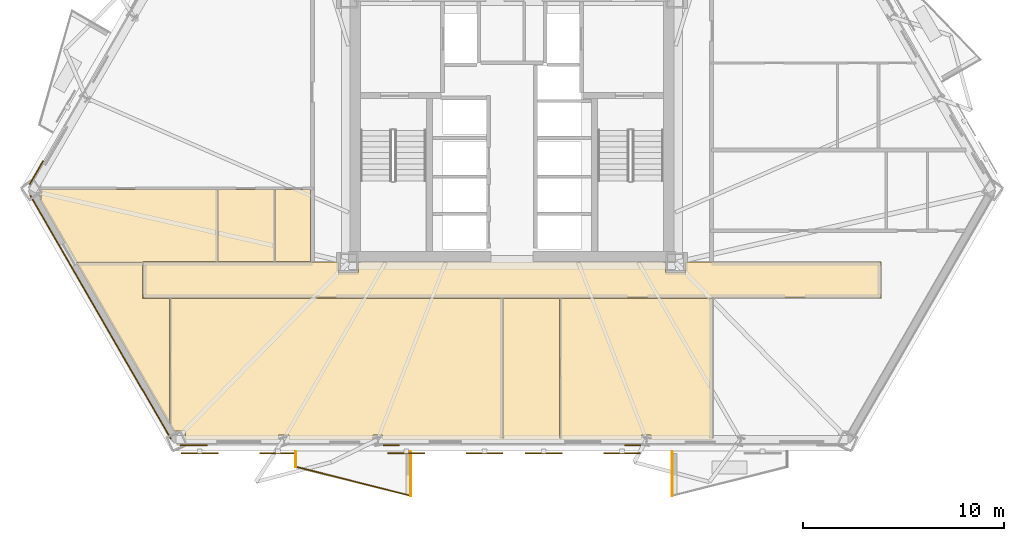
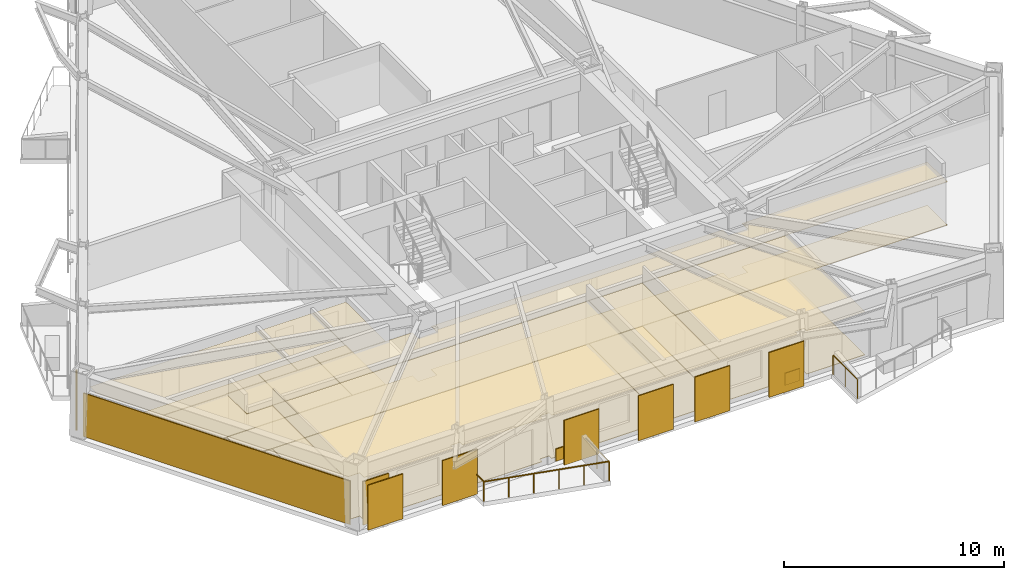
# One storey, part 7 of 10: 21 coverings, 6 shading devices, 4 railings.
"""IFC4 building model written with IfcOpenShell, lengths in metres."""

from ifc_helpers import new_model, si_unit, direction, frame, origin, origin_2d, place, context, subcontext, project, spatial, polyline, rectangle, circle, outline, extrude, material, layer, layer_set, type_object, element, save


model = new_model("IFC4")

# Units and contexts
model_context = context("Model", 3, precision=1e-05, world=origin(), true_north=direction((0.0, 1.0)))
body_context = subcontext(model_context, "Body", "Model", "MODEL_VIEW")
ifc_project = project(units=[si_unit("LENGTHUNIT", "METRE"), si_unit("AREAUNIT", "SQUARE_METRE"), si_unit("VOLUMEUNIT", "CUBIC_METRE"), si_unit("PLANEANGLEUNIT", "RADIAN"), si_unit("MASSUNIT", "GRAM", prefix="KILO")], contexts=[model_context])

# Site, building, storey
site_placement = place(None, origin())
site = spatial("IfcSite", under=ifc_project, at=site_placement, CompositionType="ELEMENT")
building_placement = place(site_placement, origin())
building = spatial("IfcBuilding", under=site, at=building_placement, Name="Oramaril Tower", CompositionType="ELEMENT")
storey_placement = place(building_placement, frame((0.0, 0.0, 52.5)))
storey = spatial("IfcBuildingStorey", under=building, at=storey_placement, Name="L13", CompositionType="ELEMENT", Elevation=52.5)

# Coverings
ifc_material_1 = material(Name="Mineral Fibre Acoustic Ceiling")
ifc_layer_1 = layer(ifc_material_1, 0.02001953125)
ifc_layer_set_1 = layer_set([ifc_layer_1], Name="CVT-CEIL")
covering_type_1 = type_object("IfcCoveringType", Name="CVT-CEIL", PredefinedType="CEILING", material=ifc_layer_set_1)
covering_1_placement = place(storey_placement, frame((0.0, 0.0, 2.39990234375)))
element("IfcCovering", 1, at=covering_1_placement, inside=storey, type_object=covering_type_1, Name="L13 Acoustic Suspended Ceiling 1", PredefinedType="CEILING", context=body_context, shape_type="SweptSolid", body=[
    extrude(outline(polyline([(28.85498046875, 10.5048828125), (29.844970703125, 10.5048828125), (29.844970703125, 11.030029296875), (45.155029296875, 11.030029296875), (45.155029296875, 10.5048828125), (46.14501953125, 10.5048828125), (46.14501953125, 11.030029296875), (55.8798828125, 11.030029296875), (55.8798828125, 9.219970703125), (19.1201171875, 9.219970703125), (19.1201171875, 11.030029296875), (28.85498046875, 11.030029296875), (28.85498046875, 10.5048828125)])), origin(), (0.0, 0.0, 1.0), 0.02001953125),
])
covering_2_placement = place(storey_placement, frame((0.0, 0.0, 2.39990234375)))
element("IfcCovering", 2, at=covering_2_placement, inside=storey, type_object=covering_type_1, Name="L13 Acoustic Suspended Ceiling 6", PredefinedType="CEILING", context=body_context, shape_type="SweptSolid", body=[
    extrude(outline(polyline([(31.056640625, 2.4130859375), (30.564208984375, 2.4130859375), (30.564208984375, 2.185791015625), (26.38037109375, 2.185791015625), (26.38037109375, 2.4130859375), (25.875, 2.4130859375), (25.875, 2.185791015625), (21.218994140625, 2.185791015625), (21.218994140625, 2.59619140625), (20.62451171875, 2.59619140625), (20.4609375, 2.87939453125), (20.4609375, 9.199951171875), (37.0419921875, 9.199951171875), (37.0419921875, 2.185791015625), (31.056640625, 2.185791015625), (31.056640625, 2.4130859375)])), origin(), (0.0, 0.0, 1.0), 0.02001953125),
])
covering_3_placement = place(storey_placement, frame((0.0, 0.0, 2.39990234375)))
element("IfcCovering", 3, at=covering_3_placement, inside=storey, type_object=covering_type_1, Name="L13 Acoustic Suspended Ceiling 7", PredefinedType="CEILING", context=body_context, shape_type="SweptSolid", body=[
    extrude(outline(polyline([(15.777099609375, 10.991943359375), (19.10009765625, 10.991943359375), (19.10009765625, 9.219970703125), (19.10009765625, 9.218017578125), (19.100341796875, 9.216064453125), (19.100830078125, 9.214111328125), (19.1015625, 9.21240234375), (19.102294921875, 9.210693359375), (19.103515625, 9.208984375), (19.1044921875, 9.207275390625), (19.10595703125, 9.205810546875), (19.107421875, 9.20458984375), (19.10888671875, 9.203369140625), (19.110595703125, 9.202392578125), (19.1123046875, 9.201416015625), (19.1142578125, 9.200927734375), (19.1162109375, 9.200439453125), (19.117919921875, 9.2001953125), (19.1201171875, 9.199951171875), (20.44091796875, 9.199951171875), (20.44091796875, 2.9140625), (15.777099609375, 10.991943359375)])), origin(), (0.0, 0.0, 1.0), 0.02001953125),
])
covering_4_placement = place(storey_placement, frame((0.0, 0.0, 2.39990234375)))
element("IfcCovering", 4, at=covering_4_placement, inside=storey, type_object=covering_type_1, Name="L13 Acoustic Suspended Ceiling 8", PredefinedType="CEILING", context=body_context, shape_type="SweptSolid", body=[
    extrude(outline(polyline([(44.435791015625, 2.4130859375), (43.943359375, 2.4130859375), (43.943359375, 2.185791015625), (39.884033203125, 2.185791015625), (39.884033203125, 9.199951171875), (47.491943359375, 9.199951171875), (47.491943359375, 2.185791015625), (44.435791015625, 2.185791015625), (44.435791015625, 2.4130859375)])), origin(), (0.0, 0.0, 1.0), 0.02001953125),
])
covering_5_placement = place(storey_placement, frame((0.0, 0.0, 2.39990234375)))
element("IfcCovering", 5, at=covering_5_placement, inside=storey, type_object=covering_type_1, Name="L13 Acoustic Suspended Ceiling 9", PredefinedType="CEILING", context=body_context, shape_type="SweptSolid", body=[
    extrude(outline(polyline([(37.06201171875, 2.185791015625), (37.06201171875, 9.199951171875), (39.864013671875, 9.199951171875), (39.864013671875, 2.185791015625), (37.06201171875, 2.185791015625)])), origin(), (0.0, 0.0, 1.0), 0.02001953125),
])
covering_6_placement = place(storey_placement, frame((0.0, 0.0, 2.39990234375)))
element("IfcCovering", 6, at=covering_6_placement, inside=storey, type_object=covering_type_1, Name="L13 Acoustic Suspended Ceiling 11", PredefinedType="CEILING", context=body_context, shape_type="SweptSolid", body=[
    extrude(outline(polyline([(13.96044921875, 14.138671875), (14.024169921875, 14.138671875), (14.024169921875, 14.631591796875), (22.838134765625, 14.631591796875), (22.838134765625, 11.050048828125), (19.1201171875, 11.050048828125), (19.117919921875, 11.0498046875), (19.1162109375, 11.049560546875), (19.1142578125, 11.049072265625), (19.1123046875, 11.048583984375), (19.110595703125, 11.047607421875), (19.10888671875, 11.046630859375), (19.107421875, 11.04541015625), (19.10595703125, 11.044189453125), (19.1044921875, 11.042724609375), (19.103515625, 11.041015625), (19.102294921875, 11.039306640625), (19.1015625, 11.03759765625), (19.100830078125, 11.035888671875), (19.100341796875, 11.033935546875), (19.10009765625, 11.031982421875), (19.10009765625, 11.030029296875), (19.10009765625, 11.011962890625), (15.777099609375, 11.011962890625), (15.775146484375, 11.011962890625), (15.773193359375, 11.01171875), (15.771240234375, 11.010986328125), (15.769287109375, 11.010498046875), (15.767578125, 11.009521484375), (15.76708984375, 11.00927734375), (13.96044921875, 14.138671875)])), origin(), (0.0, 0.0, 1.0), 0.02001953125),
])
covering_7_placement = place(storey_placement, frame((0.0, 0.0, 2.39990234375)))
element("IfcCovering", 7, at=covering_7_placement, inside=storey, type_object=covering_type_1, Name="L13 Acoustic Suspended Ceiling 12", PredefinedType="CEILING", context=body_context, shape_type="SweptSolid", body=[
    extrude(outline(polyline([(25.701904296875, 11.050048828125), (22.858154296875, 11.050048828125), (22.858154296875, 14.631591796875), (25.701904296875, 14.631591796875), (25.701904296875, 11.050048828125)])), origin(), (0.0, 0.0, 1.0), 0.02001953125),
])
covering_8_placement = place(storey_placement, frame((0.0, 0.0, 2.39990234375)))
element("IfcCovering", 8, at=covering_8_placement, inside=storey, type_object=covering_type_1, Name="L13 Acoustic Suspended Ceiling 13", PredefinedType="CEILING", context=body_context, shape_type="SweptSolid", body=[
    extrude(outline(polyline([(25.721923828125, 14.631591796875), (27.449951171875, 14.631591796875), (27.449951171875, 11.050048828125), (25.721923828125, 11.050048828125), (25.721923828125, 14.631591796875)])), origin(), (0.0, 0.0, 1.0), 0.02001953125),
])
ifc_material_2 = material(Name="Warm Cream Limestone", Category="masonry")
ifc_layer_2 = layer(ifc_material_2, 0.050048828125)
ifc_layer_set_2 = layer_set([ifc_layer_2], Name="CVT-CLD")
covering_type_2 = type_object("IfcCoveringType", Name="CVT-CLD", PredefinedType="CLADDING", material=ifc_layer_set_2)
covering_9_placement = place(storey_placement, frame((17.00341796875, 8.26611328125, 0.0400390625), z_axis=(0.0, 0.0, 1.0), x_axis=(0.5, -0.866025403784, 0.0)))
element("IfcCovering", 9, at=covering_9_placement, inside=storey, type_object=covering_type_2, Name="L13 Warm Cream Limestone Cladding", PredefinedType="CLADDING", context=body_context, shape_type="SweptSolid", body=[
    extrude(rectangle(XDim=14.0146484375, YDim=0.050048828125, at=origin_2d()), origin(), (0.0, 0.0, 1.0), 2.4140625),
])
covering_10_placement = place(storey_placement, frame((21.649169921875, 1.884765625, 0.0400390625), z_axis=(0.0, 0.0, 1.0), x_axis=(1.0, 0.0, 0.0)))
element("IfcCovering", 10, at=covering_10_placement, inside=storey, type_object=covering_type_2, Name="L13 Warm Cream Limestone Cladding", PredefinedType="CLADDING", context=body_context, shape_type="SweptSolid", body=[
    extrude(rectangle(XDim=1.35009765625, YDim=0.050048828125, at=origin_2d()), origin(), (0.0, 0.0, 1.0), 2.4140625),
])
for number, where, z_axis, x_axis, name in (
    (11, (31.48779296875, 1.884765625, 0.0400390625), (0.0, 0.0, 1.0), (1.0, 0.0, 0.0), "L13 Warm Cream Limestone Spandrel Cladding"),
    (12, (43.51220703125, 1.884765625, 0.0400390625), (0.0, 0.0, 1.0), (1.0, 0.0, 0.0), "L13 Warm Cream Limestone Spandrel Cladding"),
):
    element("IfcCovering", number, at=place(storey_placement, frame(where, z_axis=z_axis, x_axis=x_axis)), inside=storey, type_object=covering_type_2, Name=name, PredefinedType="CLADDING", context=body_context, shape_type="SweptSolid", body=[
        extrude(rectangle(XDim=0.800048828125, YDim=0.050048828125, at=origin_2d()), origin(), (0.0, 0.0, 1.0), 0.679931640625),
    ])
covering_11_placement = place(storey_placement, frame((13.7998046875, 15.480224609375, 0.0400390625), z_axis=(0.0, 0.0, 1.0), x_axis=(-0.5, -0.866025403784, 0.0)))
element("IfcCovering", 13, at=covering_11_placement, inside=storey, type_object=covering_type_2, Name="L13 Warm Cream Limestone Cladding", PredefinedType="CLADDING", context=body_context, shape_type="SweptSolid", body=[
    extrude(rectangle(XDim=1.35009765625, YDim=0.050048828125, at=origin_2d()), origin(), (0.0, 0.0, 1.0), 2.4140625),
])
ifc_material_3 = material(Name="Honed Quartzite Stone Flooring", Category="masonry")
ifc_layer_3 = layer(ifc_material_3, 0.02490234375)
ifc_layer_set_3 = layer_set([ifc_layer_3], Name="CVT-FLR")
covering_type_3 = type_object("IfcCoveringType", Name="CVT-FLR", PredefinedType="FLOORING", material=ifc_layer_set_3)
covering_12_placement = place(storey_placement, origin())
element("IfcCovering", 14, at=covering_12_placement, inside=storey, type_object=covering_type_3, Name="L13 Honed Stone Floor Finish 1", PredefinedType="FLOORING", context=body_context, shape_type="SweptSolid", body=[
    extrude(outline(polyline([(28.85498046875, 10.5048828125), (29.844970703125, 10.5048828125), (29.844970703125, 11.030029296875), (45.155029296875, 11.030029296875), (45.155029296875, 10.5048828125), (46.14501953125, 10.5048828125), (46.14501953125, 11.030029296875), (55.8798828125, 11.030029296875), (55.8798828125, 9.219970703125), (19.1201171875, 9.219970703125), (19.1201171875, 11.030029296875), (28.85498046875, 11.030029296875), (28.85498046875, 10.5048828125)])), origin(), (0.0, 0.0, 1.0), 0.02490234375),
])
covering_13_placement = place(storey_placement, origin())
element("IfcCovering", 15, at=covering_13_placement, inside=storey, type_object=covering_type_3, Name="L13 Honed Stone Floor Finish 6", PredefinedType="FLOORING", context=body_context, shape_type="SweptSolid", body=[
    extrude(outline(polyline([(31.056640625, 2.4130859375), (30.564208984375, 2.4130859375), (30.564208984375, 2.185791015625), (26.38037109375, 2.185791015625), (26.38037109375, 2.4130859375), (25.875, 2.4130859375), (25.875, 2.185791015625), (21.218994140625, 2.185791015625), (21.218994140625, 2.59619140625), (20.62451171875, 2.59619140625), (20.4609375, 2.87939453125), (20.4609375, 9.199951171875), (37.0419921875, 9.199951171875), (37.0419921875, 2.185791015625), (31.056640625, 2.185791015625), (31.056640625, 2.4130859375)])), origin(), (0.0, 0.0, 1.0), 0.02490234375),
])
covering_14_placement = place(storey_placement, origin())
element("IfcCovering", 16, at=covering_14_placement, inside=storey, type_object=covering_type_3, Name="L13 Honed Stone Floor Finish 7", PredefinedType="FLOORING", context=body_context, shape_type="SweptSolid", body=[
    extrude(outline(polyline([(15.777099609375, 10.991943359375), (19.10009765625, 10.991943359375), (19.10009765625, 9.219970703125), (19.10009765625, 9.218017578125), (19.100341796875, 9.216064453125), (19.100830078125, 9.214111328125), (19.1015625, 9.21240234375), (19.102294921875, 9.210693359375), (19.103515625, 9.208984375), (19.1044921875, 9.207275390625), (19.10595703125, 9.205810546875), (19.107421875, 9.20458984375), (19.10888671875, 9.203369140625), (19.110595703125, 9.202392578125), (19.1123046875, 9.201416015625), (19.1142578125, 9.200927734375), (19.1162109375, 9.200439453125), (19.117919921875, 9.2001953125), (19.1201171875, 9.199951171875), (20.44091796875, 9.199951171875), (20.44091796875, 2.9140625), (15.777099609375, 10.991943359375)])), origin(), (0.0, 0.0, 1.0), 0.02490234375),
])
covering_15_placement = place(storey_placement, origin())
element("IfcCovering", 17, at=covering_15_placement, inside=storey, type_object=covering_type_3, Name="L13 Honed Stone Floor Finish 8", PredefinedType="FLOORING", context=body_context, shape_type="SweptSolid", body=[
    extrude(outline(polyline([(44.435791015625, 2.4130859375), (43.943359375, 2.4130859375), (43.943359375, 2.185791015625), (39.884033203125, 2.185791015625), (39.884033203125, 9.199951171875), (47.491943359375, 9.199951171875), (47.491943359375, 2.185791015625), (44.435791015625, 2.185791015625), (44.435791015625, 2.4130859375)])), origin(), (0.0, 0.0, 1.0), 0.02490234375),
])
covering_16_placement = place(storey_placement, origin())
element("IfcCovering", 18, at=covering_16_placement, inside=storey, type_object=covering_type_3, Name="L13 Honed Stone Floor Finish 9", PredefinedType="FLOORING", context=body_context, shape_type="SweptSolid", body=[
    extrude(outline(polyline([(37.06201171875, 2.185791015625), (37.06201171875, 9.199951171875), (39.864013671875, 9.199951171875), (39.864013671875, 2.185791015625), (37.06201171875, 2.185791015625)])), origin(), (0.0, 0.0, 1.0), 0.02490234375),
])
covering_17_placement = place(storey_placement, origin())
element("IfcCovering", 19, at=covering_17_placement, inside=storey, type_object=covering_type_3, Name="L13 Honed Stone Floor Finish 11", PredefinedType="FLOORING", context=body_context, shape_type="SweptSolid", body=[
    extrude(outline(polyline([(13.96044921875, 14.138671875), (14.024169921875, 14.138671875), (14.024169921875, 14.631591796875), (22.838134765625, 14.631591796875), (22.838134765625, 11.050048828125), (19.1201171875, 11.050048828125), (19.117919921875, 11.0498046875), (19.1162109375, 11.049560546875), (19.1142578125, 11.049072265625), (19.1123046875, 11.048583984375), (19.110595703125, 11.047607421875), (19.10888671875, 11.046630859375), (19.107421875, 11.04541015625), (19.10595703125, 11.044189453125), (19.1044921875, 11.042724609375), (19.103515625, 11.041015625), (19.102294921875, 11.039306640625), (19.1015625, 11.03759765625), (19.100830078125, 11.035888671875), (19.100341796875, 11.033935546875), (19.10009765625, 11.031982421875), (19.10009765625, 11.030029296875), (19.10009765625, 11.011962890625), (15.777099609375, 11.011962890625), (15.775146484375, 11.011962890625), (15.773193359375, 11.01171875), (15.771240234375, 11.010986328125), (15.769287109375, 11.010498046875), (15.767578125, 11.009521484375), (15.76708984375, 11.00927734375), (13.96044921875, 14.138671875)])), origin(), (0.0, 0.0, 1.0), 0.02490234375),
])
covering_18_placement = place(storey_placement, origin())
element("IfcCovering", 20, at=covering_18_placement, inside=storey, type_object=covering_type_3, Name="L13 Honed Stone Floor Finish 12", PredefinedType="FLOORING", context=body_context, shape_type="SweptSolid", body=[
    extrude(outline(polyline([(25.701904296875, 11.050048828125), (22.858154296875, 11.050048828125), (22.858154296875, 14.631591796875), (25.701904296875, 14.631591796875), (25.701904296875, 11.050048828125)])), origin(), (0.0, 0.0, 1.0), 0.02490234375),
])
covering_19_placement = place(storey_placement, origin())
element("IfcCovering", 21, at=covering_19_placement, inside=storey, type_object=covering_type_3, Name="L13 Honed Stone Floor Finish 13", PredefinedType="FLOORING", context=body_context, shape_type="SweptSolid", body=[
    extrude(outline(polyline([(25.721923828125, 14.631591796875), (27.449951171875, 14.631591796875), (27.449951171875, 11.050048828125), (25.721923828125, 11.050048828125), (25.721923828125, 14.631591796875)])), origin(), (0.0, 0.0, 1.0), 0.02490234375),
])

# Railings
ifc_material_4 = material(Name="Stainless Steel 316L", Category="steel")
railing_type = type_object("IfcRailingType", Name="RLT-GRD", PredefinedType="GUARDRAIL", material=ifc_material_4)
railing_1_placement = place(storey_placement, frame((32.448486328125, 1.569580078125, 0.0)))
element("IfcRailing", 22, at=railing_1_placement, inside=storey, type_object=railing_type, Name="L13 Balcony Guardrail L13-BAL-S1.1", PredefinedType="GUARDRAIL", context=body_context, shape_type="SweptSolid", body=[
    extrude(circle(Radius=0.02392578125, at=origin_2d()), frame((0.0, 0.0, 1.076171875), z_axis=(0.0, -1.0, 0.0), x_axis=(1.0, 0.0, 0.0)), (0.0, 0.0, 1.0), 2.19189453125),
    extrude(circle(Radius=0.02099609375, at=origin_2d()), origin(), (0.0, 0.0, 1.0), 1.052001953125),
    extrude(circle(Radius=0.02099609375, at=origin_2d()), frame((0.0, -1.095947265625, 0.0)), (0.0, 0.0, 1.0), 1.052001953125),
    extrude(circle(Radius=0.02099609375, at=origin_2d()), frame((0.0, -2.19189453125, 0.0)), (0.0, 0.0, 1.0), 1.052001953125),
])
railing_2_placement = place(storey_placement, frame((32.448486328125, -0.622314453125, 0.0)))
element("IfcRailing", 23, at=railing_2_placement, inside=storey, type_object=railing_type, Name="L13 Balcony Guardrail L13-BAL-S1.2", PredefinedType="GUARDRAIL", context=body_context, shape_type="SweptSolid", body=[
    extrude(circle(Radius=0.02392578125, at=origin_2d()), frame((0.0, 0.0, 1.076171875), z_axis=(-0.969443611257, 0.245314256807, 0.0), x_axis=(-0.245314256807, -0.969443611257, 0.0)), (0.0, 0.0, 1.0), 5.91064453125),
    extrude(circle(Radius=0.02099609375, at=origin_2d()), origin(), (0.0, 0.0, 1.0), 1.052001953125),
    extrude(circle(Radius=0.02099609375, at=origin_2d()), frame((-1.14599609375, 0.2900390625, 0.0)), (0.0, 0.0, 1.0), 1.052001953125),
    extrude(circle(Radius=0.02099609375, at=origin_2d()), frame((-2.2919921875, 0.580078125, 0.0)), (0.0, 0.0, 1.0), 1.052001953125),
    extrude(circle(Radius=0.02099609375, at=origin_2d()), frame((-3.43798828125, 0.869873046875, 0.0)), (0.0, 0.0, 1.0), 1.052001953125),
    extrude(circle(Radius=0.02099609375, at=origin_2d()), frame((-4.583984375, 1.159912109375, 0.0)), (0.0, 0.0, 1.0), 1.052001953125),
    extrude(circle(Radius=0.02099609375, at=origin_2d()), frame((-5.72998046875, 1.449951171875, 0.0)), (0.0, 0.0, 1.0), 1.052001953125),
])
railing_3_placement = place(storey_placement, frame((26.718505859375, 0.82763671875, 0.0)))
element("IfcRailing", 24, at=railing_3_placement, inside=storey, type_object=railing_type, Name="L13 Balcony Guardrail L13-BAL-S1.3", PredefinedType="GUARDRAIL", context=body_context, shape_type="SweptSolid", body=[
    extrude(circle(Radius=0.02392578125, at=origin_2d()), frame((0.0, 0.0, 1.076171875), z_axis=(0.0, 1.0, 0.0), x_axis=(-1.0, 0.0, 0.0)), (0.0, 0.0, 1.0), 0.741943359375),
    extrude(circle(Radius=0.02099609375, at=origin_2d()), origin(), (0.0, 0.0, 1.0), 1.052001953125),
    extrude(circle(Radius=0.02099609375, at=origin_2d()), frame((0.0, 0.741943359375, 0.0)), (0.0, 0.0, 1.0), 1.052001953125),
])
railing_4_placement = place(storey_placement, frame((45.4765625, -0.622314453125, 0.0)))
element("IfcRailing", 25, at=railing_4_placement, inside=storey, type_object=railing_type, Name="L13 Balcony Guardrail L13-BAL-S2.3", PredefinedType="GUARDRAIL", context=body_context, shape_type="SweptSolid", body=[
    extrude(circle(Radius=0.02392578125, at=origin_2d()), frame((0.0, 0.0, 1.076171875), z_axis=(0.0, 1.0, 0.0), x_axis=(-1.0, 0.0, 0.0)), (0.0, 0.0, 1.0), 2.19189453125),
    extrude(circle(Radius=0.02099609375, at=origin_2d()), origin(), (0.0, 0.0, 1.0), 1.052001953125),
    extrude(circle(Radius=0.02099609375, at=origin_2d()), frame((0.0, 1.095947265625, 0.0)), (0.0, 0.0, 1.0), 1.052001953125),
    extrude(circle(Radius=0.02099609375, at=origin_2d()), frame((0.0, 2.19189453125, 0.0)), (0.0, 0.0, 1.0), 1.052001953125),
])

# Shading devices
for number, where, z_axis, x_axis, name in (
    (26, (21.93701171875, 1.497802734375, -0.02001953125), (0.0, 0.0, 1.0), (1.0, 0.0, 0.0), "L13 Perforated Ceramic Solar Screen"),
    (27, (25.8369140625, 1.497802734375, -0.02001953125), (0.0, 0.0, 1.0), (1.0, 0.0, 0.0), "L13 Perforated Ceramic Solar Screen"),
    (28, (32.226318359375, 1.497802734375, -0.02001953125), (0.0, 0.0, 1.0), (1.0, 0.0, 0.0), "L13 Perforated Ceramic Solar Screen"),
    (29, (36.12646484375, 1.497802734375, -0.02001953125), (0.0, 0.0, 1.0), (1.0, 0.0, 0.0), "L13 Perforated Ceramic Solar Screen"),
    (30, (39.080810546875, 1.497802734375, -0.02001953125), (0.0, 0.0, 1.0), (1.0, 0.0, 0.0), "L13 Perforated Ceramic Solar Screen"),
    (31, (42.98095703125, 1.497802734375, -0.02001953125), (0.0, 0.0, 1.0), (1.0, 0.0, 0.0), "L13 Perforated Ceramic Solar Screen"),
):
    element("IfcShadingDevice", number, at=place(storey_placement, frame(where, z_axis=z_axis, x_axis=x_axis)), inside=storey, Name=name, ObjectType="SCREEN", PredefinedType="USERDEFINED", context=body_context, shape_type="SweptSolid", body=[
        extrude(rectangle(XDim=1.8330078125, YDim=0.050048828125, at=origin_2d()), origin(), (0.0, 0.0, 1.0), 2.493896484375),
    ])

save(model, "model.ifc")
